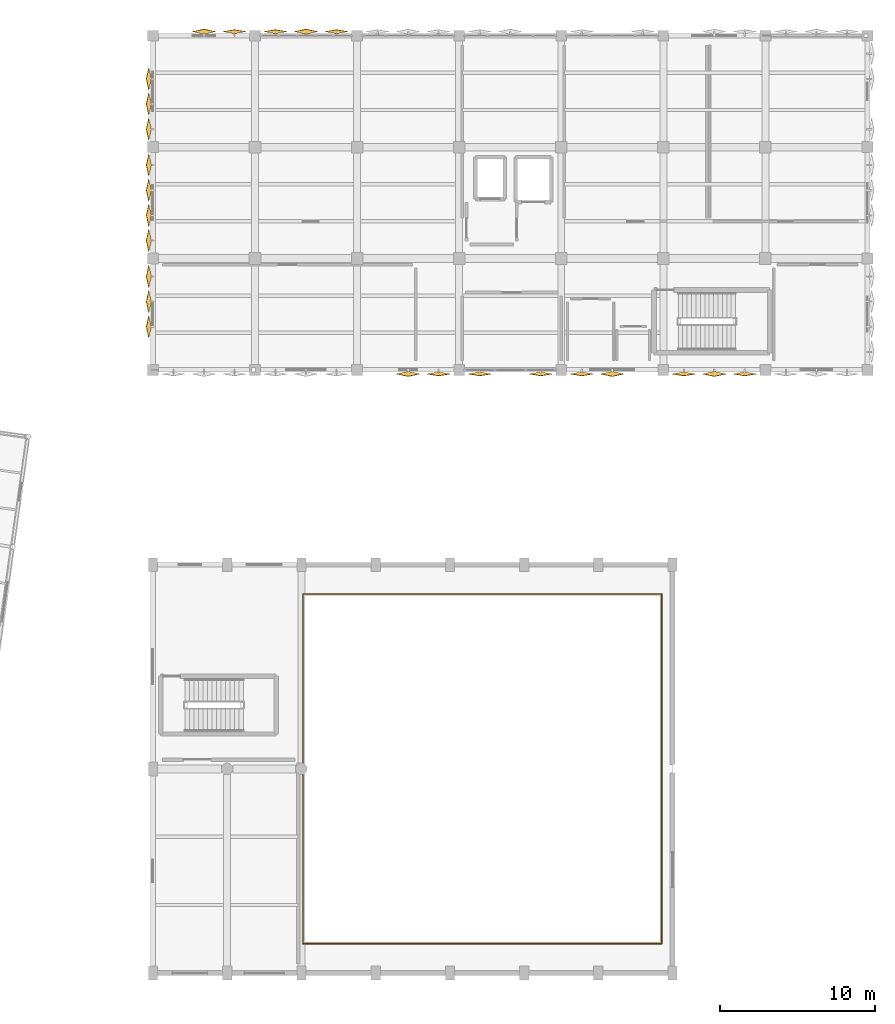
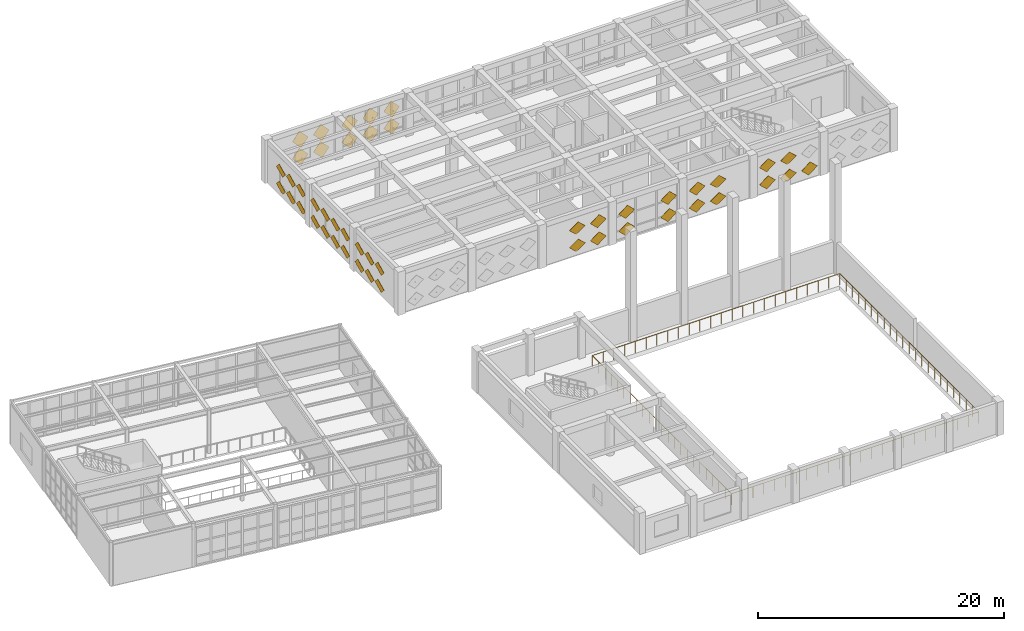
# One storey, part 79 of 80: 47 coverings, 2 railings.
"""IFC4 building model written with IfcOpenShell, lengths in metres."""

from ifc_helpers import new_model, si_unit, direction, frame, origin, origin_2d, place, context, subcontext, project, spatial, polyline, circle, outline, extrude, material, type_object, element, save


model = new_model("IFC4")

# Units and contexts
model_context = context("Model", 3, precision=1e-05, world=origin(), true_north=direction((0.0, 1.0)))
body_context = subcontext(model_context, "Body", "Model", "MODEL_VIEW")
ifc_project = project(units=[si_unit("LENGTHUNIT", "METRE"), si_unit("AREAUNIT", "SQUARE_METRE"), si_unit("VOLUMEUNIT", "CUBIC_METRE"), si_unit("PLANEANGLEUNIT", "RADIAN"), si_unit("MASSUNIT", "GRAM", prefix="KILO")], contexts=[model_context])

# Site, building, storey
site_placement = place(None, origin())
site = spatial("IfcSite", under=ifc_project, at=site_placement, CompositionType="ELEMENT")
building_placement = place(site_placement, origin())
building = spatial("IfcBuilding", under=site, at=building_placement, Name="Kharisveld Research Institute", CompositionType="ELEMENT")
storey_placement = place(building_placement, frame((0.0, 0.0, 5.10009765625)))
storey = spatial("IfcBuildingStorey", under=building, at=storey_placement, Name="L01", CompositionType="ELEMENT", Elevation=5.10009765625)

# Railings
ifc_material_1 = material(Name="Steel S355JR", Category="steel")
railing_type = type_object("IfcRailingType", Name="RL_GRD_TER", PredefinedType="GUARDRAIL", material=ifc_material_1)
railing_1_placement = place(storey_placement, frame((124.300048828125, 2.10009765625, 0.0)))
element("IfcRailing", 1, at=railing_1_placement, inside=storey, type_object=railing_type, Name="RLG:V5:L01:AUD_A", PredefinedType="GUARDRAIL", context=body_context, shape_type="SweptSolid", body=[
    extrude(circle(Radius=0.02392578125, at=origin_2d()), frame((0.0, 0.0, 1.1259765625), z_axis=(1.0, 0.0, 0.0), x_axis=(0.0, 1.0, 0.0)), (0.0, 0.0, 1.0), 23.199951171875),
    extrude(circle(Radius=0.02392578125, at=origin_2d()), frame((23.199951171875, 0.0, 1.1259765625), z_axis=(0.0, 1.0, 0.0), x_axis=(-1.0, 0.0, 0.0)), (0.0, 0.0, 1.0), 22.599853515625),
    extrude(circle(Radius=0.02099609375, at=origin_2d()), origin(), (0.0, 0.0, 1.0), 1.101806640625),
    extrude(circle(Radius=0.02099609375, at=origin_2d()), frame((1.0087890625, 0.0, 0.0)), (0.0, 0.0, 1.0), 1.101806640625),
    extrude(circle(Radius=0.02099609375, at=origin_2d()), frame((2.017333984375, 0.0, 0.0)), (0.0, 0.0, 1.0), 1.101806640625),
    extrude(circle(Radius=0.02099609375, at=origin_2d()), frame((3.026123046875, 0.0, 0.0)), (0.0, 0.0, 1.0), 1.101806640625),
    extrude(circle(Radius=0.02099609375, at=origin_2d()), frame((4.03466796875, 0.0, 0.0)), (0.0, 0.0, 1.0), 1.101806640625),
    extrude(circle(Radius=0.02099609375, at=origin_2d()), frame((5.04345703125, 0.0, 0.0)), (0.0, 0.0, 1.0), 1.101806640625),
    extrude(circle(Radius=0.02099609375, at=origin_2d()), frame((6.05224609375, 0.0, 0.0)), (0.0, 0.0, 1.0), 1.101806640625),
    extrude(circle(Radius=0.02099609375, at=origin_2d()), frame((7.060791015625, 0.0, 0.0)), (0.0, 0.0, 1.0), 1.101806640625),
    extrude(circle(Radius=0.02099609375, at=origin_2d()), frame((8.069580078125, 0.0, 0.0)), (0.0, 0.0, 1.0), 1.101806640625),
    extrude(circle(Radius=0.02099609375, at=origin_2d()), frame((9.078125, 0.0, 0.0)), (0.0, 0.0, 1.0), 1.101806640625),
    extrude(circle(Radius=0.02099609375, at=origin_2d()), frame((10.0869140625, 0.0, 0.0)), (0.0, 0.0, 1.0), 1.101806640625),
    extrude(circle(Radius=0.02099609375, at=origin_2d()), frame((11.095703125, 0.0, 0.0)), (0.0, 0.0, 1.0), 1.101806640625),
    extrude(circle(Radius=0.02099609375, at=origin_2d()), frame((12.104248046875, 0.0, 0.0)), (0.0, 0.0, 1.0), 1.101806640625),
    extrude(circle(Radius=0.02099609375, at=origin_2d()), frame((13.113037109375, 0.0, 0.0)), (0.0, 0.0, 1.0), 1.101806640625),
    extrude(circle(Radius=0.02099609375, at=origin_2d()), frame((14.121826171875, 0.0, 0.0)), (0.0, 0.0, 1.0), 1.101806640625),
    extrude(circle(Radius=0.02099609375, at=origin_2d()), frame((15.13037109375, 0.0, 0.0)), (0.0, 0.0, 1.0), 1.101806640625),
    extrude(circle(Radius=0.02099609375, at=origin_2d()), frame((16.13916015625, 0.0, 0.0)), (0.0, 0.0, 1.0), 1.101806640625),
    extrude(circle(Radius=0.02099609375, at=origin_2d()), frame((17.147705078125, 0.0, 0.0)), (0.0, 0.0, 1.0), 1.101806640625),
    extrude(circle(Radius=0.02099609375, at=origin_2d()), frame((18.156494140625, 0.0, 0.0)), (0.0, 0.0, 1.0), 1.101806640625),
    extrude(circle(Radius=0.02099609375, at=origin_2d()), frame((19.165283203125, 0.0, 0.0)), (0.0, 0.0, 1.0), 1.101806640625),
    extrude(circle(Radius=0.02099609375, at=origin_2d()), frame((20.173828125, 0.0, 0.0)), (0.0, 0.0, 1.0), 1.101806640625),
    extrude(circle(Radius=0.02099609375, at=origin_2d()), frame((21.1826171875, 0.0, 0.0)), (0.0, 0.0, 1.0), 1.101806640625),
    extrude(circle(Radius=0.02099609375, at=origin_2d()), frame((22.191162109375, 0.0, 0.0)), (0.0, 0.0, 1.0), 1.101806640625),
    extrude(circle(Radius=0.02099609375, at=origin_2d()), frame((23.199951171875, 0.0, 0.0)), (0.0, 0.0, 1.0), 1.101806640625),
    extrude(circle(Radius=0.02099609375, at=origin_2d()), frame((23.199951171875, 1.02734375, 0.0)), (0.0, 0.0, 1.0), 1.101806640625),
    extrude(circle(Radius=0.02099609375, at=origin_2d()), frame((23.199951171875, 2.054443359375, 0.0)), (0.0, 0.0, 1.0), 1.101806640625),
    extrude(circle(Radius=0.02099609375, at=origin_2d()), frame((23.199951171875, 3.081787109375, 0.0)), (0.0, 0.0, 1.0), 1.101806640625),
    extrude(circle(Radius=0.02099609375, at=origin_2d()), frame((23.199951171875, 4.109130859375, 0.0)), (0.0, 0.0, 1.0), 1.101806640625),
    extrude(circle(Radius=0.02099609375, at=origin_2d()), frame((23.199951171875, 5.13623046875, 0.0)), (0.0, 0.0, 1.0), 1.101806640625),
    extrude(circle(Radius=0.02099609375, at=origin_2d()), frame((23.199951171875, 6.16357421875, 0.0)), (0.0, 0.0, 1.0), 1.101806640625),
    extrude(circle(Radius=0.02099609375, at=origin_2d()), frame((23.199951171875, 7.19091796875, 0.0)), (0.0, 0.0, 1.0), 1.101806640625),
    extrude(circle(Radius=0.02099609375, at=origin_2d()), frame((23.199951171875, 8.218017578125, 0.0)), (0.0, 0.0, 1.0), 1.101806640625),
    extrude(circle(Radius=0.02099609375, at=origin_2d()), frame((23.199951171875, 9.245361328125, 0.0)), (0.0, 0.0, 1.0), 1.101806640625),
    extrude(circle(Radius=0.02099609375, at=origin_2d()), frame((23.199951171875, 10.272705078125, 0.0)), (0.0, 0.0, 1.0), 1.101806640625),
    extrude(circle(Radius=0.02099609375, at=origin_2d()), frame((23.199951171875, 11.2998046875, 0.0)), (0.0, 0.0, 1.0), 1.101806640625),
    extrude(circle(Radius=0.02099609375, at=origin_2d()), frame((23.199951171875, 12.3271484375, 0.0)), (0.0, 0.0, 1.0), 1.101806640625),
    extrude(circle(Radius=0.02099609375, at=origin_2d()), frame((23.199951171875, 13.3544921875, 0.0)), (0.0, 0.0, 1.0), 1.101806640625),
    extrude(circle(Radius=0.02099609375, at=origin_2d()), frame((23.199951171875, 14.3818359375, 0.0)), (0.0, 0.0, 1.0), 1.101806640625),
    extrude(circle(Radius=0.02099609375, at=origin_2d()), frame((23.199951171875, 15.408935546875, 0.0)), (0.0, 0.0, 1.0), 1.101806640625),
    extrude(circle(Radius=0.02099609375, at=origin_2d()), frame((23.199951171875, 16.436279296875, 0.0)), (0.0, 0.0, 1.0), 1.101806640625),
    extrude(circle(Radius=0.02099609375, at=origin_2d()), frame((23.199951171875, 17.463623046875, 0.0)), (0.0, 0.0, 1.0), 1.101806640625),
    extrude(circle(Radius=0.02099609375, at=origin_2d()), frame((23.199951171875, 18.49072265625, 0.0)), (0.0, 0.0, 1.0), 1.101806640625),
    extrude(circle(Radius=0.02099609375, at=origin_2d()), frame((23.199951171875, 19.51806640625, 0.0)), (0.0, 0.0, 1.0), 1.101806640625),
    extrude(circle(Radius=0.02099609375, at=origin_2d()), frame((23.199951171875, 20.54541015625, 0.0)), (0.0, 0.0, 1.0), 1.101806640625),
    extrude(circle(Radius=0.02099609375, at=origin_2d()), frame((23.199951171875, 21.572509765625, 0.0)), (0.0, 0.0, 1.0), 1.101806640625),
    extrude(circle(Radius=0.02099609375, at=origin_2d()), frame((23.199951171875, 22.599853515625, 0.0)), (0.0, 0.0, 1.0), 1.101806640625),
])
railing_2_placement = place(storey_placement, frame((147.5, 24.699951171875, 0.0)))
element("IfcRailing", 2, at=railing_2_placement, inside=storey, type_object=railing_type, Name="RLG:V5:L01:AUD_B", PredefinedType="GUARDRAIL", context=body_context, shape_type="SweptSolid", body=[
    extrude(circle(Radius=0.02392578125, at=origin_2d()), frame((0.0, 0.0, 1.1259765625), z_axis=(-1.0, 0.0, 0.0), x_axis=(0.0, -1.0, 0.0)), (0.0, 0.0, 1.0), 23.199951171875),
    extrude(circle(Radius=0.02392578125, at=origin_2d()), frame((-23.199951171875, 0.0, 1.1259765625), z_axis=(0.0, -1.0, 0.0), x_axis=(1.0, 0.0, 0.0)), (0.0, 0.0, 1.0), 22.599853515625),
    extrude(circle(Radius=0.02099609375, at=origin_2d()), origin(), (0.0, 0.0, 1.0), 1.101806640625),
    extrude(circle(Radius=0.02099609375, at=origin_2d()), frame((-1.0087890625, 0.0, 0.0)), (0.0, 0.0, 1.0), 1.101806640625),
    extrude(circle(Radius=0.02099609375, at=origin_2d()), frame((-2.017333984375, 0.0, 0.0)), (0.0, 0.0, 1.0), 1.101806640625),
    extrude(circle(Radius=0.02099609375, at=origin_2d()), frame((-3.026123046875, 0.0, 0.0)), (0.0, 0.0, 1.0), 1.101806640625),
    extrude(circle(Radius=0.02099609375, at=origin_2d()), frame((-4.03466796875, 0.0, 0.0)), (0.0, 0.0, 1.0), 1.101806640625),
    extrude(circle(Radius=0.02099609375, at=origin_2d()), frame((-5.04345703125, 0.0, 0.0)), (0.0, 0.0, 1.0), 1.101806640625),
    extrude(circle(Radius=0.02099609375, at=origin_2d()), frame((-6.05224609375, 0.0, 0.0)), (0.0, 0.0, 1.0), 1.101806640625),
    extrude(circle(Radius=0.02099609375, at=origin_2d()), frame((-7.060791015625, 0.0, 0.0)), (0.0, 0.0, 1.0), 1.101806640625),
    extrude(circle(Radius=0.02099609375, at=origin_2d()), frame((-8.069580078125, 0.0, 0.0)), (0.0, 0.0, 1.0), 1.101806640625),
    extrude(circle(Radius=0.02099609375, at=origin_2d()), frame((-9.078125, 0.0, 0.0)), (0.0, 0.0, 1.0), 1.101806640625),
    extrude(circle(Radius=0.02099609375, at=origin_2d()), frame((-10.0869140625, 0.0, 0.0)), (0.0, 0.0, 1.0), 1.101806640625),
    extrude(circle(Radius=0.02099609375, at=origin_2d()), frame((-11.095703125, 0.0, 0.0)), (0.0, 0.0, 1.0), 1.101806640625),
    extrude(circle(Radius=0.02099609375, at=origin_2d()), frame((-12.104248046875, 0.0, 0.0)), (0.0, 0.0, 1.0), 1.101806640625),
    extrude(circle(Radius=0.02099609375, at=origin_2d()), frame((-13.113037109375, 0.0, 0.0)), (0.0, 0.0, 1.0), 1.101806640625),
    extrude(circle(Radius=0.02099609375, at=origin_2d()), frame((-14.121826171875, 0.0, 0.0)), (0.0, 0.0, 1.0), 1.101806640625),
    extrude(circle(Radius=0.02099609375, at=origin_2d()), frame((-15.13037109375, 0.0, 0.0)), (0.0, 0.0, 1.0), 1.101806640625),
    extrude(circle(Radius=0.02099609375, at=origin_2d()), frame((-16.13916015625, 0.0, 0.0)), (0.0, 0.0, 1.0), 1.101806640625),
    extrude(circle(Radius=0.02099609375, at=origin_2d()), frame((-17.147705078125, 0.0, 0.0)), (0.0, 0.0, 1.0), 1.101806640625),
    extrude(circle(Radius=0.02099609375, at=origin_2d()), frame((-18.156494140625, 0.0, 0.0)), (0.0, 0.0, 1.0), 1.101806640625),
    extrude(circle(Radius=0.02099609375, at=origin_2d()), frame((-19.165283203125, 0.0, 0.0)), (0.0, 0.0, 1.0), 1.101806640625),
    extrude(circle(Radius=0.02099609375, at=origin_2d()), frame((-20.173828125, 0.0, 0.0)), (0.0, 0.0, 1.0), 1.101806640625),
    extrude(circle(Radius=0.02099609375, at=origin_2d()), frame((-21.1826171875, 0.0, 0.0)), (0.0, 0.0, 1.0), 1.101806640625),
    extrude(circle(Radius=0.02099609375, at=origin_2d()), frame((-22.191162109375, 0.0, 0.0)), (0.0, 0.0, 1.0), 1.101806640625),
    extrude(circle(Radius=0.02099609375, at=origin_2d()), frame((-23.199951171875, 0.0, 0.0)), (0.0, 0.0, 1.0), 1.101806640625),
    extrude(circle(Radius=0.02099609375, at=origin_2d()), frame((-23.199951171875, -1.02734375, 0.0)), (0.0, 0.0, 1.0), 1.101806640625),
    extrude(circle(Radius=0.02099609375, at=origin_2d()), frame((-23.199951171875, -2.054443359375, 0.0)), (0.0, 0.0, 1.0), 1.101806640625),
    extrude(circle(Radius=0.02099609375, at=origin_2d()), frame((-23.199951171875, -3.081787109375, 0.0)), (0.0, 0.0, 1.0), 1.101806640625),
    extrude(circle(Radius=0.02099609375, at=origin_2d()), frame((-23.199951171875, -4.109130859375, 0.0)), (0.0, 0.0, 1.0), 1.101806640625),
    extrude(circle(Radius=0.02099609375, at=origin_2d()), frame((-23.199951171875, -5.13623046875, 0.0)), (0.0, 0.0, 1.0), 1.101806640625),
    extrude(circle(Radius=0.02099609375, at=origin_2d()), frame((-23.199951171875, -6.16357421875, 0.0)), (0.0, 0.0, 1.0), 1.101806640625),
    extrude(circle(Radius=0.02099609375, at=origin_2d()), frame((-23.199951171875, -7.19091796875, 0.0)), (0.0, 0.0, 1.0), 1.101806640625),
    extrude(circle(Radius=0.02099609375, at=origin_2d()), frame((-23.199951171875, -8.218017578125, 0.0)), (0.0, 0.0, 1.0), 1.101806640625),
    extrude(circle(Radius=0.02099609375, at=origin_2d()), frame((-23.199951171875, -9.245361328125, 0.0)), (0.0, 0.0, 1.0), 1.101806640625),
    extrude(circle(Radius=0.02099609375, at=origin_2d()), frame((-23.199951171875, -10.272705078125, 0.0)), (0.0, 0.0, 1.0), 1.101806640625),
    extrude(circle(Radius=0.02099609375, at=origin_2d()), frame((-23.199951171875, -11.2998046875, 0.0)), (0.0, 0.0, 1.0), 1.101806640625),
    extrude(circle(Radius=0.02099609375, at=origin_2d()), frame((-23.199951171875, -12.3271484375, 0.0)), (0.0, 0.0, 1.0), 1.101806640625),
    extrude(circle(Radius=0.02099609375, at=origin_2d()), frame((-23.199951171875, -13.3544921875, 0.0)), (0.0, 0.0, 1.0), 1.101806640625),
    extrude(circle(Radius=0.02099609375, at=origin_2d()), frame((-23.199951171875, -14.3818359375, 0.0)), (0.0, 0.0, 1.0), 1.101806640625),
    extrude(circle(Radius=0.02099609375, at=origin_2d()), frame((-23.199951171875, -15.408935546875, 0.0)), (0.0, 0.0, 1.0), 1.101806640625),
    extrude(circle(Radius=0.02099609375, at=origin_2d()), frame((-23.199951171875, -16.436279296875, 0.0)), (0.0, 0.0, 1.0), 1.101806640625),
    extrude(circle(Radius=0.02099609375, at=origin_2d()), frame((-23.199951171875, -17.463623046875, 0.0)), (0.0, 0.0, 1.0), 1.101806640625),
    extrude(circle(Radius=0.02099609375, at=origin_2d()), frame((-23.199951171875, -18.49072265625, 0.0)), (0.0, 0.0, 1.0), 1.101806640625),
    extrude(circle(Radius=0.02099609375, at=origin_2d()), frame((-23.199951171875, -19.51806640625, 0.0)), (0.0, 0.0, 1.0), 1.101806640625),
    extrude(circle(Radius=0.02099609375, at=origin_2d()), frame((-23.199951171875, -20.54541015625, 0.0)), (0.0, 0.0, 1.0), 1.101806640625),
    extrude(circle(Radius=0.02099609375, at=origin_2d()), frame((-23.199951171875, -21.572509765625, 0.0)), (0.0, 0.0, 1.0), 1.101806640625),
    extrude(circle(Radius=0.02099609375, at=origin_2d()), frame((-23.199951171875, -22.599853515625, 0.0)), (0.0, 0.0, 1.0), 1.101806640625),
])

# Coverings
ifc_material_2 = material(Name="White Powder-Coated Perforated Aluminium", Category="aluminium")
covering_type = type_object("IfcCoveringType", Name="CV_DIA_105", PredefinedType="CLADDING")
for number, where, z_axis, x_axis, name in (
    (3, (114.500732421875, 41.986328125, 0.324951171875), (0.97627595375, 0.0, 0.216530049021), (-0.153110874941, 0.707102121536, 0.690335896281), "SHD:V2:L01:W0:S1C0"),
    (4, (114.500732421875, 41.986328125, 2.025146484375), (0.97627595375, 0.0, 0.216530049021), (-0.153110874941, 0.707102121536, 0.690335896281), "SHD:V2:L01:W0:S1C1"),
    (5, (114.500732421875, 43.61376953125, 0.324951171875), (0.97627595375, 0.0, 0.216530049021), (-0.153110874941, 0.707102121536, 0.690335896281), "SHD:V2:L01:W0:S2C0"),
    (6, (114.500732421875, 43.61376953125, 2.025146484375), (0.97627595375, 0.0, 0.216530049021), (-0.153110874941, 0.707102121536, 0.690335896281), "SHD:V2:L01:W0:S2C1"),
    (7, (114.500732421875, 45.2412109375, 0.324951171875), (0.97627595375, 0.0, 0.216530049021), (-0.153110874941, 0.707102121536, 0.690335896281), "SHD:V2:L01:W0:S3C0"),
    (8, (114.500732421875, 45.2412109375, 2.025146484375), (0.97627595375, 0.0, 0.216530049021), (-0.153110874941, 0.707102121536, 0.690335896281), "SHD:V2:L01:W0:S3C1"),
    (9, (114.500732421875, 47.558837890625, 0.324951171875), (0.97627595375, 0.0, 0.216530049021), (-0.153110874941, 0.707102121536, 0.690335896281), "SHD:V2:L01:W1:S0C0"),
    (10, (114.500732421875, 47.558837890625, 2.025146484375), (0.97627595375, 0.0, 0.216530049021), (-0.153110874941, 0.707102121536, 0.690335896281), "SHD:V2:L01:W1:S0C1"),
    (11, (114.500732421875, 49.186279296875, 0.324951171875), (0.97627595375, 0.0, 0.216530049021), (-0.153110874941, 0.707102121536, 0.690335896281), "SHD:V2:L01:W1:S1C0"),
    (12, (114.500732421875, 49.186279296875, 2.025146484375), (0.97627595375, 0.0, 0.216530049021), (-0.153110874941, 0.707102121536, 0.690335896281), "SHD:V2:L01:W1:S1C1"),
    (13, (114.500732421875, 50.813720703125, 0.324951171875), (0.97627595375, 0.0, 0.216530049021), (-0.153110874941, 0.707102121536, 0.690335896281), "SHD:V2:L01:W1:S2C0"),
    (14, (114.500732421875, 50.813720703125, 2.025146484375), (0.97627595375, 0.0, 0.216530049021), (-0.153110874941, 0.707102121536, 0.690335896281), "SHD:V2:L01:W1:S2C1"),
    (15, (114.500732421875, 52.441162109375, 0.324951171875), (0.97627595375, 0.0, 0.216530049021), (-0.153110874941, 0.707102121536, 0.690335896281), "SHD:V2:L01:W1:S3C0"),
    (16, (114.500732421875, 52.441162109375, 2.025146484375), (0.97627595375, 0.0, 0.216530049021), (-0.153110874941, 0.707102121536, 0.690335896281), "SHD:V2:L01:W1:S3C1"),
    (17, (114.500732421875, 54.7587890625, 0.324951171875), (0.97627595375, 0.0, 0.216530049021), (-0.153110874941, 0.707102121536, 0.690335896281), "SHD:V2:L01:W2:S0C0"),
    (18, (114.500732421875, 54.7587890625, 2.025146484375), (0.97627595375, 0.0, 0.216530049021), (-0.153110874941, 0.707102121536, 0.690335896281), "SHD:V2:L01:W2:S0C1"),
    (19, (114.500732421875, 56.38623046875, 0.324951171875), (0.97627595375, 0.0, 0.216530049021), (-0.153110874941, 0.707102121536, 0.690335896281), "SHD:V2:L01:W2:S1C0"),
    (20, (114.500732421875, 56.38623046875, 2.025146484375), (0.97627595375, 0.0, 0.216530049021), (-0.153110874941, 0.707102121536, 0.690335896281), "SHD:V2:L01:W2:S1C1"),
    (21, (114.500732421875, 58.013671875, 0.324951171875), (0.97627595375, 0.0, 0.216530049021), (-0.153110874941, 0.707102121536, 0.690335896281), "SHD:V2:L01:W2:S2C0"),
    (22, (114.500732421875, 58.013671875, 2.025146484375), (0.97627595375, 0.0, 0.216530049021), (-0.153110874941, 0.707102121536, 0.690335896281), "SHD:V2:L01:W2:S2C1"),
):
    element("IfcCovering", number, at=place(storey_placement, frame(where, z_axis=z_axis, x_axis=x_axis)), inside=storey, type_object=covering_type, material=ifc_material_2, Name=name, PredefinedType="CLADDING", context=body_context, shape_type="SweptSolid", body=[
        extrude(outline(polyline([(0.0, 0.0), (1.0499638142969818, -1.1102230246251565e-16), (1.0500150328164886, 1.0500011942978444), (1.3837934803917484e-05, 1.0499638142057939), (0.0, 0.0)])), origin(), (0.0, 0.0, -1.0), 0.02392578125),
    ])
for number, where, z_axis, x_axis, name in (
    (23, (117.89990234375, 60.8994140625, 0.324951171875), (0.0, -0.97631069788, 0.216373337556), (0.707218351292, 0.152974909648, 0.690246970738), "SHD:V2:L01:N0:S1C0"),
    (24, (117.89990234375, 60.8994140625, 2.025146484375), (0.0, -0.97631069788, 0.216373337556), (0.707218351292, 0.152974909648, 0.690246970738), "SHD:V2:L01:N0:S1C1"),
):
    element("IfcCovering", number, at=place(storey_placement, frame(where, z_axis=z_axis, x_axis=x_axis)), inside=storey, type_object=covering_type, material=ifc_material_2, Name=name, PredefinedType="CLADDING", context=body_context, shape_type="SweptSolid", body=[
        extrude(outline(polyline([(0.0, 0.0), (1.0501364676030216, 1.1102230246251565e-16), (1.0498050520855338, 1.0501364153068435), (-0.00015875478719196146, 1.0499638090584367), (0.0, 0.0)])), origin(), (0.0, 0.0, -1.0), 0.02392578125),
    ])
covering_1_placement = place(storey_placement, frame((119.8701171875, 60.9375, 0.317626953125), z_axis=(0.0, -0.986282612269, 0.165065468031), x_axis=(0.707138821552, 0.116713622787, 0.697375521014)))
element("IfcCovering", 25, at=covering_1_placement, inside=storey, type_object=covering_type, material=ifc_material_2, Name="SHD:V2:L01:N0:S2C0", PredefinedType="CLADDING", context=body_context, shape_type="SweptSolid", body=[
    extrude(outline(polyline([(0.0, 0.0), (1.049909321899567, 0.0), (1.0499844306250534, 1.0500795907141018), (-0.0002677902839293145, 1.0500819432568782), (0.0, 0.0)])), origin(), (0.0, 0.0, -1.0), 0.02392578125),
])
covering_2_placement = place(storey_placement, frame((119.8701171875, 60.9375, 2.017578125), z_axis=(0.0, -0.986282612269, 0.165065468031), x_axis=(0.707024158255, 0.116732548384, 0.697488603341)))
element("IfcCovering", 26, at=covering_2_placement, inside=storey, type_object=covering_type, material=ifc_material_2, Name="SHD:V2:L01:N0:S2C1", PredefinedType="CLADDING", context=body_context, shape_type="SweptSolid", body=[
    extrude(outline(polyline([(0.0, 0.0), (1.0500795934002414, -1.1102230246251565e-16), (1.0501546899467695, 1.0499093192138629), (7.276853019166918e-05, 1.050252218390671), (0.0, 0.0)])), origin(), (0.0, 0.0, -1.0), 0.02392578125),
])
covering_3_placement = place(storey_placement, frame((122.530029296875, 60.9375, 0.317626953125), z_axis=(0.0, -0.986282612269, 0.165065468031), x_axis=(0.707138821552, 0.116713622787, 0.697375521014)))
element("IfcCovering", 27, at=covering_3_placement, inside=storey, type_object=covering_type, material=ifc_material_2, Name="SHD:V2:L01:N1:S0C0", PredefinedType="CLADDING", context=body_context, shape_type="SweptSolid", body=[
    extrude(outline(polyline([(0.0, 0.0), (1.049909321899567, 0.0), (1.0499844306250534, 1.0500795907141018), (-9.51489700736774e-05, 1.049909317588087), (0.0, 0.0)])), origin(), (0.0, 0.0, -1.0), 0.02392578125),
])
covering_4_placement = place(storey_placement, frame((122.530029296875, 60.9375, 2.017578125), z_axis=(0.0, -0.986282612269, 0.165065468031), x_axis=(0.707024158255, 0.116732548384, 0.697488603341)))
element("IfcCovering", 28, at=covering_4_placement, inside=storey, type_object=covering_type, material=ifc_material_2, Name="SHD:V2:L01:N1:S0C1", PredefinedType="CLADDING", context=body_context, shape_type="SweptSolid", body=[
    extrude(outline(polyline([(0.0, 0.0), (1.0500795934002414, -1.1102230246251565e-16), (1.0501546899467695, 1.0499093192138629), (0.0002453818500782745, 1.0500795647299133), (0.0, 0.0)])), origin(), (0.0, 0.0, -1.0), 0.02392578125),
])
for number, where, z_axis, x_axis, name in (
    (29, (124.5, 60.8994140625, 0.324951171875), (0.0, -0.97631069788, 0.216373337556), (0.707102116981, 0.153000063457, 0.6903604687), "SHD:V2:L01:N1:S1C0"),
    (30, (124.5, 60.8994140625, 2.025146484375), (0.0, -0.97631069788, 0.216373337556), (0.707102116981, 0.153000063457, 0.6903604687), "SHD:V2:L01:N1:S1C1"),
):
    element("IfcCovering", number, at=place(storey_placement, frame(where, z_axis=z_axis, x_axis=x_axis)), inside=storey, type_object=covering_type, material=ifc_material_2, Name=name, PredefinedType="CLADDING", context=body_context, shape_type="SweptSolid", body=[
        extrude(outline(polyline([(0.0, 0.0), (1.0499638210603182, 0.0), (1.0499776725217052, 1.0499638209689517), (1.3851461386993336e-05, 1.0499638209689517), (0.0, 0.0)])), origin(), (0.0, 0.0, -1.0), 0.02392578125),
    ])
covering_5_placement = place(storey_placement, frame((126.469970703125, 60.9375, 0.317626953125), z_axis=(0.0, -0.986282612269, 0.165065468031), x_axis=(0.707138821552, 0.116713622787, 0.697375521014)))
element("IfcCovering", 31, at=covering_5_placement, inside=storey, type_object=covering_type, material=ifc_material_2, Name="SHD:V2:L01:N1:S2C0", PredefinedType="CLADDING", context=body_context, shape_type="SweptSolid", body=[
    extrude(outline(polyline([(0.0, 0.0), (1.049909321899567, 0.0), (1.0499844306250534, 1.0500795907141018), (-9.51489700736774e-05, 1.049909317588087), (0.0, 0.0)])), origin(), (0.0, 0.0, -1.0), 0.02392578125),
])
covering_6_placement = place(storey_placement, frame((126.469970703125, 60.9375, 2.017578125), z_axis=(0.0, -0.986282612269, 0.165065468031), x_axis=(0.707024158255, 0.116732548384, 0.697488603341)))
element("IfcCovering", 32, at=covering_6_placement, inside=storey, type_object=covering_type, material=ifc_material_2, Name="SHD:V2:L01:N1:S2C1", PredefinedType="CLADDING", context=body_context, shape_type="SweptSolid", body=[
    extrude(outline(polyline([(0.0, 0.0), (1.0500795934002414, -1.1102230246251565e-16), (1.0501546899467695, 1.0499093192138629), (0.0002453818500782745, 1.0500795647299133), (0.0, 0.0)])), origin(), (0.0, 0.0, -1.0), 0.02392578125),
])
covering_7_placement = place(storey_placement, frame((152.8701171875, 39.0625, 0.317626953125), z_axis=(0.0, 0.986282612269, 0.165065468031), x_axis=(-0.707255049827, -0.116694432619, 0.69726085785)))
element("IfcCovering", 33, at=covering_7_placement, inside=storey, type_object=covering_type, material=ifc_material_2, Name="SHD:V2:L01:S6:S0C0", PredefinedType="CLADDING", context=body_context, shape_type="SweptSolid", body=[
    extrude(outline(polyline([(0.0, 0.0), (1.0500819774026109, 1.1102230246251565e-16), (1.0498117911607456, 1.050252186157772), (-0.00026774625358971793, 1.0499092877594485), (0.0, 0.0)])), origin(), (0.0, 0.0, -1.0), 0.02392578125),
])
for number, where, z_axis, x_axis, name in (
    (34, (150.89990234375, 39.1005859375, 0.324951171875), (0.0, 0.97631069788, 0.216373337556), (-0.707102116981, -0.153000063457, 0.6903604687), "SHD:V2:L01:S6:S1C0"),
    (35, (150.89990234375, 39.1005859375, 2.025146484375), (0.0, 0.97631069788, 0.216373337556), (-0.707102116981, -0.153000063457, 0.6903604687), "SHD:V2:L01:S6:S1C1"),
):
    element("IfcCovering", number, at=place(storey_placement, frame(where, z_axis=z_axis, x_axis=x_axis)), inside=storey, type_object=covering_type, material=ifc_material_2, Name=name, PredefinedType="CLADDING", context=body_context, shape_type="SweptSolid", body=[
        extrude(outline(polyline([(0.0, 0.0), (1.0499638210603182, 0.0), (1.0499776725217052, 1.0499638209689517), (-0.00015878089139154117, 1.050136455599167), (0.0, 0.0)])), origin(), (0.0, 0.0, -1.0), 0.02392578125),
    ])
covering_8_placement = place(storey_placement, frame((148.929931640625, 39.0625, 0.317626953125), z_axis=(0.0, 0.986282612269, 0.165065468031), x_axis=(-0.707138821552, -0.116713622787, 0.697375521014)))
element("IfcCovering", 36, at=covering_8_placement, inside=storey, type_object=covering_type, material=ifc_material_2, Name="SHD:V2:L01:S6:S2C0", PredefinedType="CLADDING", context=body_context, shape_type="SweptSolid", body=[
    extrude(outline(polyline([(0.0, 0.0), (1.049909321899567, 0.0), (1.0499844306250534, 1.0500795907141018), (-9.51489700736774e-05, 1.049909317588087), (0.0, 0.0)])), origin(), (0.0, 0.0, -1.0), 0.02392578125),
])
covering_9_placement = place(storey_placement, frame((148.929931640625, 39.0625, 2.017578125), z_axis=(0.0, 0.986282612269, 0.165065468031), x_axis=(-0.707024158255, -0.116732548384, 0.697488603341)))
element("IfcCovering", 37, at=covering_9_placement, inside=storey, type_object=covering_type, material=ifc_material_2, Name="SHD:V2:L01:S6:S2C1", PredefinedType="CLADDING", context=body_context, shape_type="SweptSolid", body=[
    extrude(outline(polyline([(0.0, 0.0), (1.0500795934002414, -1.1102230246251565e-16), (1.0501546899467695, 1.0499093192138629), (0.0002453818500782745, 1.0500795647299133), (0.0, 0.0)])), origin(), (0.0, 0.0, -1.0), 0.02392578125),
])
for number, where, z_axis, x_axis, name in (
    (38, (144.300048828125, 39.1005859375, 0.324951171875), (0.0, 0.97631069788, 0.216373337556), (-0.707102116981, -0.153000063457, 0.6903604687), "SHD:V2:L01:S5:S1C0"),
    (39, (144.300048828125, 39.1005859375, 2.025146484375), (0.0, 0.97631069788, 0.216373337556), (-0.707102116981, -0.153000063457, 0.6903604687), "SHD:V2:L01:S5:S1C1"),
):
    element("IfcCovering", number, at=place(storey_placement, frame(where, z_axis=z_axis, x_axis=x_axis)), inside=storey, type_object=covering_type, material=ifc_material_2, Name=name, PredefinedType="CLADDING", context=body_context, shape_type="SweptSolid", body=[
        extrude(outline(polyline([(0.0, 0.0), (1.0499638210603182, 0.0), (1.0499776725217052, 1.0499638209689517), (1.3851461386993336e-05, 1.0499638209689517), (0.0, 0.0)])), origin(), (0.0, 0.0, -1.0), 0.02392578125),
    ])
covering_10_placement = place(storey_placement, frame((142.330078125, 39.0625, 0.317626953125), z_axis=(0.0, 0.986282612269, 0.165065468031), x_axis=(-0.707138821552, -0.116713622787, 0.697375521014)))
element("IfcCovering", 40, at=covering_10_placement, inside=storey, type_object=covering_type, material=ifc_material_2, Name="SHD:V2:L01:S5:S2C0", PredefinedType="CLADDING", context=body_context, shape_type="SweptSolid", body=[
    extrude(outline(polyline([(0.0, 0.0), (1.049909321899567, 0.0), (1.0499844306250534, 1.0500795907141018), (-9.51489700736774e-05, 1.049909317588087), (0.0, 0.0)])), origin(), (0.0, 0.0, -1.0), 0.02392578125),
])
covering_11_placement = place(storey_placement, frame((142.330078125, 39.0625, 2.017578125), z_axis=(0.0, 0.986282612269, 0.165065468031), x_axis=(-0.707024158255, -0.116732548384, 0.697488603341)))
element("IfcCovering", 41, at=covering_11_placement, inside=storey, type_object=covering_type, material=ifc_material_2, Name="SHD:V2:L01:S5:S2C1", PredefinedType="CLADDING", context=body_context, shape_type="SweptSolid", body=[
    extrude(outline(polyline([(0.0, 0.0), (1.0500795934002414, -1.1102230246251565e-16), (1.0501546899467695, 1.0499093192138629), (0.0002453818500782745, 1.0500795647299133), (0.0, 0.0)])), origin(), (0.0, 0.0, -1.0), 0.02392578125),
])
covering_12_placement = place(storey_placement, frame((139.669921875, 39.0625, 0.317626953125), z_axis=(0.0, 0.986282612269, 0.165065468031), x_axis=(-0.707138821552, -0.116713622787, 0.697375521014)))
element("IfcCovering", 42, at=covering_12_placement, inside=storey, type_object=covering_type, material=ifc_material_2, Name="SHD:V2:L01:S4:S0C0", PredefinedType="CLADDING", context=body_context, shape_type="SweptSolid", body=[
    extrude(outline(polyline([(0.0, 0.0), (1.049909321899567, 0.0), (1.0499844306250534, 1.0500795907141018), (-9.51489700736774e-05, 1.049909317588087), (0.0, 0.0)])), origin(), (0.0, 0.0, -1.0), 0.02392578125),
])
covering_13_placement = place(storey_placement, frame((139.669921875, 39.0625, 2.017578125), z_axis=(0.0, 0.986282612269, 0.165065468031), x_axis=(-0.707024158255, -0.116732548384, 0.697488603341)))
element("IfcCovering", 43, at=covering_13_placement, inside=storey, type_object=covering_type, material=ifc_material_2, Name="SHD:V2:L01:S4:S0C1", PredefinedType="CLADDING", context=body_context, shape_type="SweptSolid", body=[
    extrude(outline(polyline([(0.0, 0.0), (1.0500795934002414, -1.1102230246251565e-16), (1.0501546899467695, 1.0499093192138629), (0.0002453818500782745, 1.0500795647299133), (0.0, 0.0)])), origin(), (0.0, 0.0, -1.0), 0.02392578125),
])
covering_14_placement = place(storey_placement, frame((135.72998046875, 39.0625, 0.317626953125), z_axis=(0.0, 0.986282612269, 0.165065468031), x_axis=(-0.707138821552, -0.116713622787, 0.697375521014)))
element("IfcCovering", 44, at=covering_14_placement, inside=storey, type_object=covering_type, material=ifc_material_2, Name="SHD:V2:L01:S4:S2C0", PredefinedType="CLADDING", context=body_context, shape_type="SweptSolid", body=[
    extrude(outline(polyline([(0.0, 0.0), (1.049909321899567, 0.0), (1.0499844306250534, 1.0500795907141018), (-9.51489700736774e-05, 1.049909317588087), (0.0, 0.0)])), origin(), (0.0, 0.0, -1.0), 0.02392578125),
])
covering_15_placement = place(storey_placement, frame((135.72998046875, 39.0625, 2.017578125), z_axis=(0.0, 0.986282612269, 0.165065468031), x_axis=(-0.707024158255, -0.116732548384, 0.697488603341)))
element("IfcCovering", 45, at=covering_15_placement, inside=storey, type_object=covering_type, material=ifc_material_2, Name="SHD:V2:L01:S4:S2C1", PredefinedType="CLADDING", context=body_context, shape_type="SweptSolid", body=[
    extrude(outline(polyline([(0.0, 0.0), (1.0500795934002414, -1.1102230246251565e-16), (1.0501546899467695, 1.0499093192138629), (0.0002453818500782745, 1.0500795647299133), (0.0, 0.0)])), origin(), (0.0, 0.0, -1.0), 0.02392578125),
])
covering_16_placement = place(storey_placement, frame((133.070068359375, 39.0625, 0.317626953125), z_axis=(0.0, 0.986282612269, 0.165065468031), x_axis=(-0.707138821552, -0.116713622787, 0.697375521014)))
element("IfcCovering", 46, at=covering_16_placement, inside=storey, type_object=covering_type, material=ifc_material_2, Name="SHD:V2:L01:S3:S0C0", PredefinedType="CLADDING", context=body_context, shape_type="SweptSolid", body=[
    extrude(outline(polyline([(0.0, 0.0), (1.049909321899567, 0.0), (1.0499844306250534, 1.0500795907141018), (-9.51489700736774e-05, 1.049909317588087), (0.0, 0.0)])), origin(), (0.0, 0.0, -1.0), 0.02392578125),
])
covering_17_placement = place(storey_placement, frame((133.070068359375, 39.0625, 2.017578125), z_axis=(0.0, 0.986282612269, 0.165065468031), x_axis=(-0.707024158255, -0.116732548384, 0.697488603341)))
element("IfcCovering", 47, at=covering_17_placement, inside=storey, type_object=covering_type, material=ifc_material_2, Name="SHD:V2:L01:S3:S0C1", PredefinedType="CLADDING", context=body_context, shape_type="SweptSolid", body=[
    extrude(outline(polyline([(0.0, 0.0), (1.0500795934002414, -1.1102230246251565e-16), (1.0501546899467695, 1.0499093192138629), (0.0002453818500782745, 1.0500795647299133), (0.0, 0.0)])), origin(), (0.0, 0.0, -1.0), 0.02392578125),
])
for number, where, z_axis, x_axis, name in (
    (48, (131.10009765625, 39.1005859375, 0.324951171875), (0.0, 0.97631069788, 0.216373337556), (-0.707218351292, -0.152974909648, 0.690246970738), "SHD:V2:L01:S3:S1C0"),
    (49, (131.10009765625, 39.1005859375, 2.025146484375), (0.0, 0.97631069788, 0.216373337556), (-0.707218351292, -0.152974909648, 0.690246970738), "SHD:V2:L01:S3:S1C1"),
):
    element("IfcCovering", number, at=place(storey_placement, frame(where, z_axis=z_axis, x_axis=x_axis)), inside=storey, type_object=covering_type, material=ifc_material_2, Name=name, PredefinedType="CLADDING", context=body_context, shape_type="SweptSolid", body=[
        extrude(outline(polyline([(0.0, 0.0), (1.0501364676030216, 1.1102230246251565e-16), (1.0498050520855338, 1.0501364153068435), (-0.00015875478719196146, 1.0499638090584367), (0.0, 0.0)])), origin(), (0.0, 0.0, -1.0), 0.02392578125),
    ])

save(model, "model.ifc")
